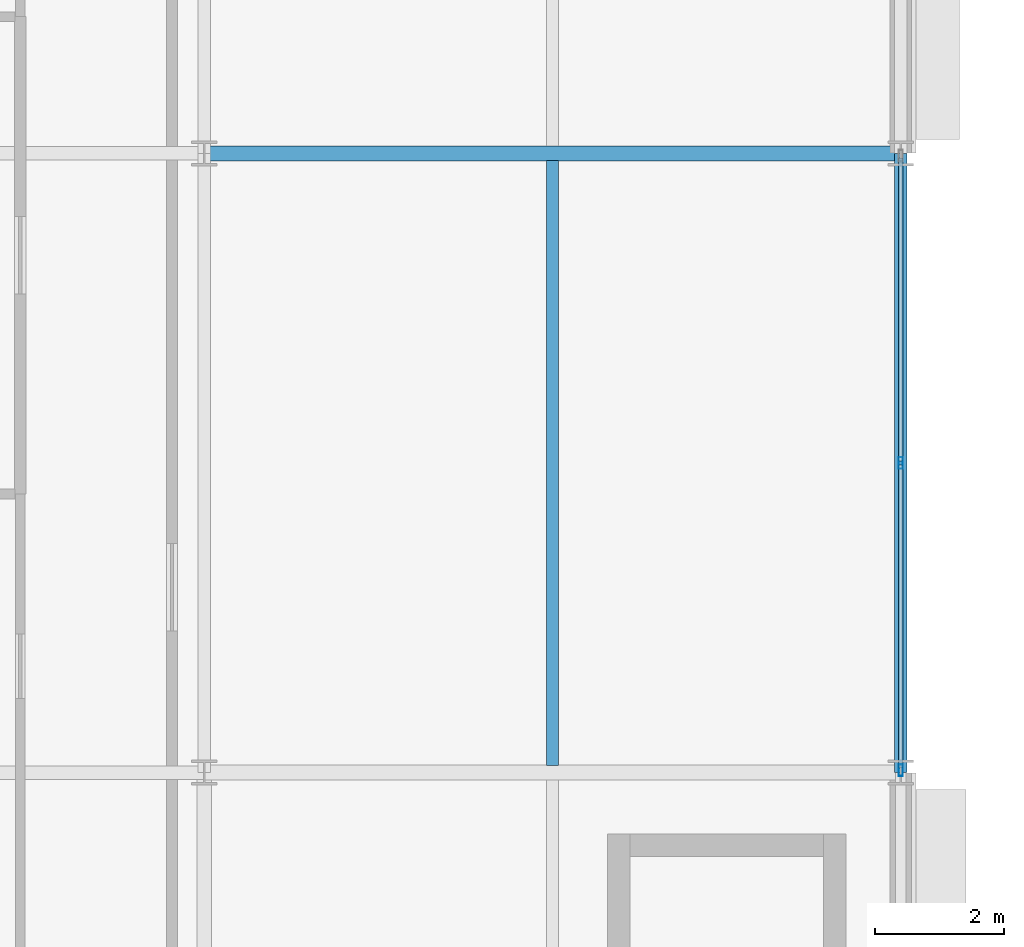
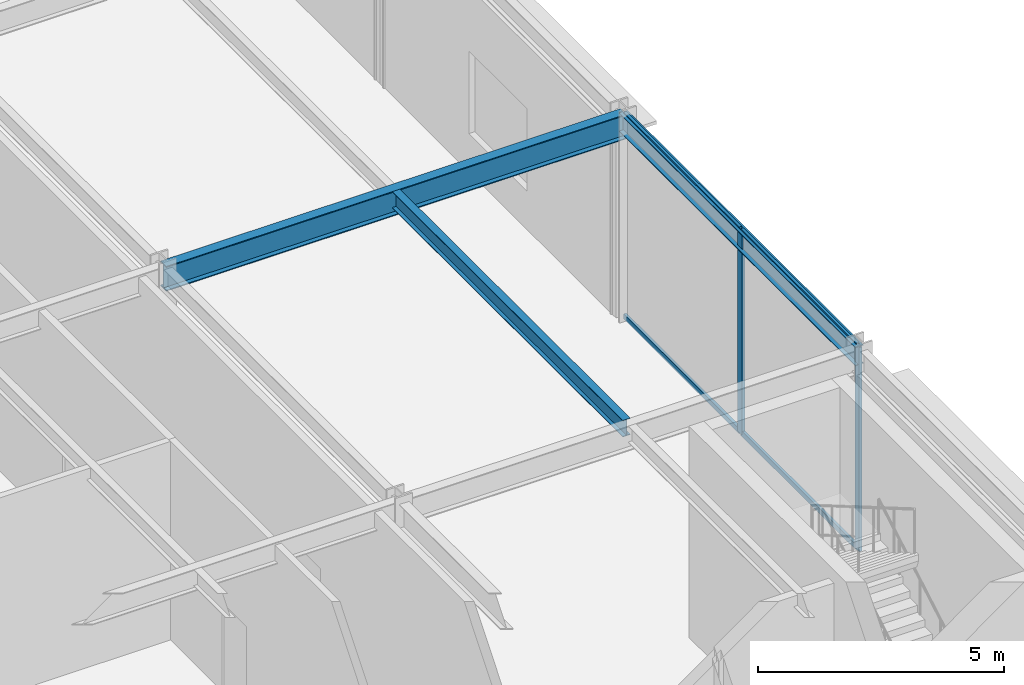
# One storey, part 108 of 168: 6 members, 3 beams, 1 element without a shape of its own.
"""IFC4 building model written with IfcOpenShell, lengths in metres."""

from ifc_helpers import new_model, si_unit, direction, frame, origin, origin_2d, place, context, subcontext, project, spatial, hollow_rectangle, i_section, extrude, material, material_profile, profile_set, type_object, element, aggregate, save


model = new_model("IFC4")

# Units and contexts
model_context = context("Model", 3, precision=1e-05, world=origin(), true_north=direction((0.0, 1.0)))
body_context = subcontext(model_context, "Body", "Model", "MODEL_VIEW")
ifc_project = project(units=[si_unit("LENGTHUNIT", "METRE"), si_unit("AREAUNIT", "SQUARE_METRE"), si_unit("VOLUMEUNIT", "CUBIC_METRE"), si_unit("PLANEANGLEUNIT", "RADIAN"), si_unit("MASSUNIT", "GRAM", prefix="KILO")], contexts=[model_context])

# Site, building, storey
site_placement = place(None, origin())
site = spatial("IfcSite", under=ifc_project, at=site_placement, CompositionType="ELEMENT")
building_placement = place(site_placement, origin())
building = spatial("IfcBuilding", under=site, at=building_placement, Name="Almandine Court Research Institute", CompositionType="ELEMENT")
storey_placement = place(building_placement, origin())
storey = spatial("IfcBuildingStorey", under=building, at=storey_placement, Name="L00", CompositionType="ELEMENT", Elevation=0.0)

# Beams
ifc_material_1 = material(Name="Steel ASTM A992 Grade 50", Category="steel")
ifc_material_profile_1 = material_profile(ifc_material_1, i_section(OverallWidth=0.178955078125, OverallDepth=0.409912109375, WebThickness=0.009033203125, FlangeThickness=0.013916015625, at=origin_2d()), Name="W410x67")
ifc_profile_set_1 = profile_set([ifc_material_profile_1], Name="Steel ASTM A992 Grade 50")
beam_type_1 = type_object("IfcBeamType", Name="Beam-B-02", PredefinedType="JOIST", material=ifc_profile_set_1)
beam_1_placement = place(storey_placement, frame((168.60009765625, 84.113037109375, 4.864990234375), z_axis=(0.0, 1.0, 0.0), x_axis=(-1.0, 0.0, 0.0)))
element("IfcBeam", 1, at=beam_1_placement, inside=storey, type_object=beam_type_1, Name="L00 V4 Composite Secondary Beam", PredefinedType="JOIST", context=body_context, shape_type="SweptSolid", body=[
    extrude(i_section(OverallWidth=0.178955078125, OverallDepth=0.409912109375, WebThickness=0.009033203125, FlangeThickness=0.013916015625, at=origin_2d()), origin(), (0.0, 0.0, 1.0), 9.3740234375),
])
ifc_material_profile_2 = material_profile(ifc_material_1, i_section(OverallWidth=0.22998046875, OverallDepth=0.616943359375, WebThickness=0.012939453125, FlangeThickness=0.02197265625, at=origin_2d()), Name="W610x140")
ifc_profile_set_2 = profile_set([ifc_material_profile_2], Name="Steel ASTM A992 Grade 50")
beam_type_2 = type_object("IfcBeamType", Name="Beam-G-02", PredefinedType="BEAM", material=ifc_profile_set_2)
beam_2_placement = place(storey_placement, frame((163.199951171875, 93.60009765625, 4.760986328125), z_axis=(1.0, 0.0, 0.0), x_axis=(0.0, 1.0, 0.0)))
element("IfcBeam", 2, at=beam_2_placement, inside=storey, type_object=beam_type_2, Name="L00 V4 Primary X Girder", PredefinedType="BEAM", context=body_context, shape_type="SweptSolid", body=[
    extrude(i_section(OverallWidth=0.22998046875, OverallDepth=0.616943359375, WebThickness=0.012939453125, FlangeThickness=0.02197265625, at=origin_2d()), origin(), (0.0, 0.0, 1.0), 10.800048828125),
])
ifc_material_profile_3 = material_profile(ifc_material_1, i_section(OverallWidth=0.193115234375, OverallDepth=0.466064453125, WebThickness=0.010986328125, FlangeThickness=0.01904296875, at=origin_2d()), Name="W460x97")
ifc_profile_set_3 = profile_set([ifc_material_profile_3], Name="Steel ASTM A992 Grade 50")
beam_type_3 = type_object("IfcBeamType", Name="Beam-G-06-E", PredefinedType="SPANDREL", material=ifc_profile_set_3)
beam_3_placement = place(storey_placement, frame((174.0, 84.0, 4.8369140625), z_axis=(0.0, 1.0, 0.0), x_axis=(-1.0, 0.0, 0.0)))
element("IfcBeam", 3, at=beam_3_placement, inside=storey, type_object=beam_type_3, Name="L00 V4 Primary Y Girder", PredefinedType="SPANDREL", context=body_context, shape_type="SweptSolid", body=[
    extrude(i_section(OverallWidth=0.193115234375, OverallDepth=0.466064453125, WebThickness=0.010986328125, FlangeThickness=0.01904296875, at=origin_2d()), origin(), (0.0, 0.0, 1.0), 9.60009765625),
])

# Curtain wall, members
ifc_material_2 = material(Name="Unitised Curtain Wall Framing and Solar Glazing", Category="glass")
curtain_wall_type = type_object("IfcCurtainWallType", Name="CW-CWJ-13", PredefinedType="USERDEFINED", material=ifc_material_2)
curtain_wall_placement = place(storey_placement, origin())
curtain_wall = element("IfcCurtainWall", 4, at=curtain_wall_placement, inside=storey, type_object=curtain_wall_type, Name="L00 Wet Lab East Jali Curtain Wall 8", ObjectType="SOLAR JALI SCREEN", PredefinedType="USERDEFINED")
ifc_material_3 = material(Name="Anodised Aluminium AW-6063-T6", Category="aluminium")
ifc_material_profile_4 = material_profile(ifc_material_3, hollow_rectangle(XDim=0.06494140625, YDim=0.179931640625, WallThickness=0.00390625, at=origin_2d()), Name="ALU RHS 65x180x4")
ifc_profile_set_4 = profile_set([ifc_material_profile_4], Name="Anodised Aluminium AW-6063-T6")
member_type_1 = type_object("IfcMemberType", Name="CWMul-65x180", PredefinedType="MULLION", material=ifc_profile_set_4)
member_1_placement = place(storey_placement, frame((174.0, 88.800048828125, 0.0), z_axis=(0.0, 0.0, 1.0), x_axis=(1.0, 0.0, 0.0)))
member_1 = element("IfcMember", 5, at=member_1_placement, type_object=member_type_1, Name="CWJ-13 mullion 2", PredefinedType="MULLION", context=body_context, shape_type="SweptSolid", body=[
    extrude(hollow_rectangle(XDim=0.06494140625, YDim=0.179931640625, WallThickness=0.00390625, at=origin_2d()), origin(), (0.0, 0.0, 1.0), 5.070068359375),
])
member_2_placement = place(storey_placement, frame((174.0, 84.03662109375, 0.0), z_axis=(0.0, 0.0, 1.0), x_axis=(1.0, 0.0, 0.0)))
member_2 = element("IfcMember", 6, at=member_2_placement, type_object=member_type_1, Name="CWJ-13 mullion 3", PredefinedType="MULLION", context=body_context, shape_type="SweptSolid", body=[
    extrude(hollow_rectangle(XDim=0.06494140625, YDim=0.179931640625, WallThickness=0.00390625, at=origin_2d()), origin(), (0.0, 0.0, 1.0), 5.070068359375),
])
ifc_material_profile_5 = material_profile(ifc_material_3, hollow_rectangle(XDim=0.06494140625, YDim=0.1298828125, WallThickness=0.00390625, at=origin_2d()), Name="ALU RHS 65x130x4")
ifc_profile_set_5 = profile_set([ifc_material_profile_5], Name="Anodised Aluminium AW-6063-T6")
member_type_2 = type_object("IfcMemberType", Name="CWTrn-65x130", PredefinedType="NOTDEFINED", material=ifc_profile_set_5)
member_3_placement = place(storey_placement, frame((174.0, 93.531005859375, 0.032470703125), z_axis=(0.0, -1.0, 0.0), x_axis=(1.0, 0.0, 0.0)))
member_3 = element("IfcMember", 7, at=member_3_placement, type_object=member_type_2, Name="CWJ-13 transom 1.1", ObjectType="TRANSOM", PredefinedType="USERDEFINED", context=body_context, shape_type="SweptSolid", body=[
    extrude(hollow_rectangle(XDim=0.06494140625, YDim=0.1298828125, WallThickness=0.00390625, at=origin_2d()), origin(), (0.0, 0.0, 1.0), 4.698486328125),
])
member_4_placement = place(storey_placement, frame((174.0, 93.531005859375, 5.03759765625), z_axis=(0.0, -1.0, 0.0), x_axis=(1.0, 0.0, 0.0)))
member_4 = element("IfcMember", 8, at=member_4_placement, type_object=member_type_2, Name="CWJ-13 transom 1.2", ObjectType="TRANSOM", PredefinedType="USERDEFINED", context=body_context, shape_type="SweptSolid", body=[
    extrude(hollow_rectangle(XDim=0.06494140625, YDim=0.1298828125, WallThickness=0.00390625, at=origin_2d()), origin(), (0.0, 0.0, 1.0), 4.698486328125),
])
member_5_placement = place(storey_placement, frame((174.0, 88.767578125, 0.032470703125), z_axis=(0.0, -1.0, 0.0), x_axis=(1.0, 0.0, 0.0)))
member_5 = element("IfcMember", 9, at=member_5_placement, type_object=member_type_2, Name="CWJ-13 transom 2.1", ObjectType="TRANSOM", PredefinedType="USERDEFINED", context=body_context, shape_type="SweptSolid", body=[
    extrude(hollow_rectangle(XDim=0.06494140625, YDim=0.1298828125, WallThickness=0.00390625, at=origin_2d()), origin(), (0.0, 0.0, 1.0), 4.698486328125),
])
member_6_placement = place(storey_placement, frame((174.0, 88.767578125, 5.03759765625), z_axis=(0.0, -1.0, 0.0), x_axis=(1.0, 0.0, 0.0)))
member_6 = element("IfcMember", 10, at=member_6_placement, type_object=member_type_2, Name="CWJ-13 transom 2.2", ObjectType="TRANSOM", PredefinedType="USERDEFINED", context=body_context, shape_type="SweptSolid", body=[
    extrude(hollow_rectangle(XDim=0.06494140625, YDim=0.1298828125, WallThickness=0.00390625, at=origin_2d()), origin(), (0.0, 0.0, 1.0), 4.698486328125),
])
aggregate(curtain_wall, [member_1, member_2, member_3, member_4, member_5, member_6])

save(model, "model.ifc")
